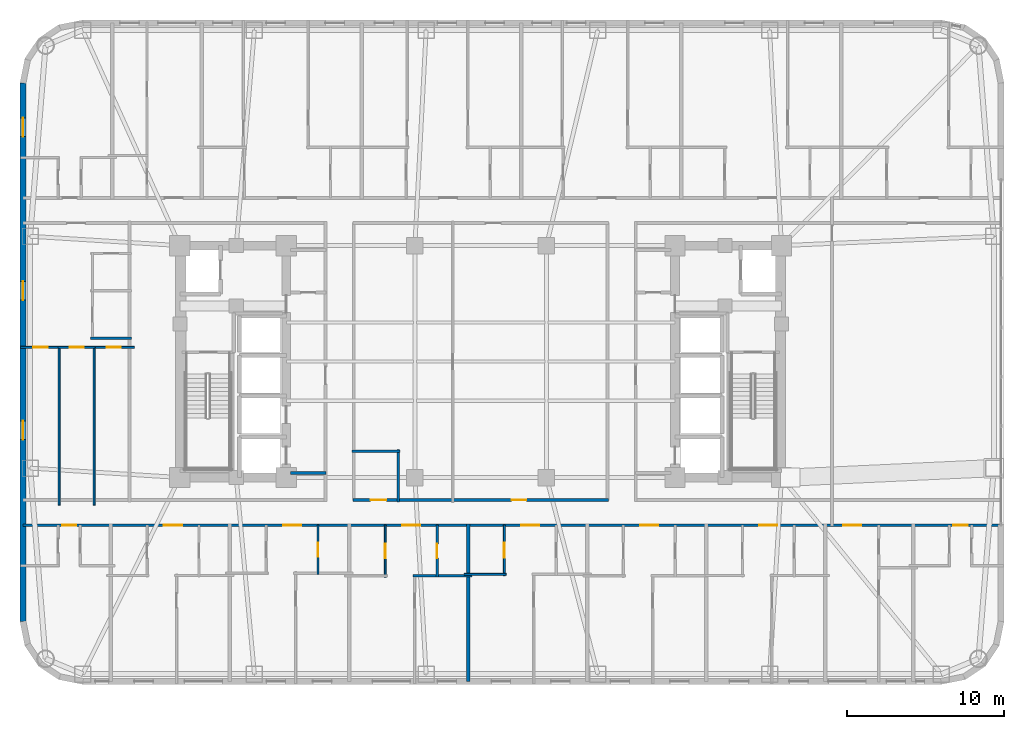
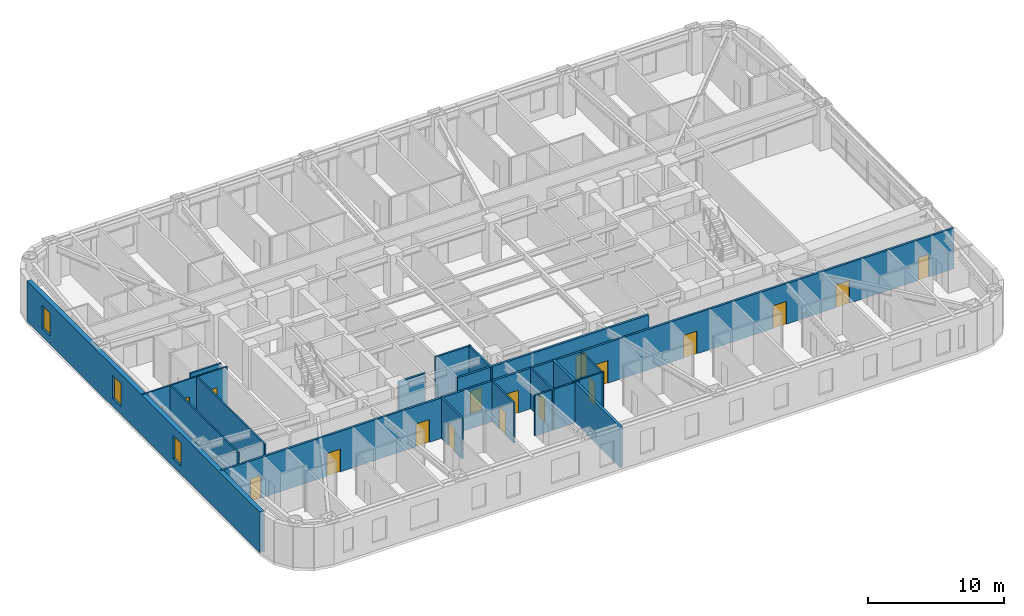
# One storey, part 8 of 16: 19 walls, 18 doors, 3 windows, 21 openings.
"""IFC4 building model written with IfcOpenShell, lengths in metres."""

from ifc_helpers import new_model, si_unit, direction, frame, frame_2d, origin, place, context, subcontext, project, spatial, rectangle, extrude, material, layer, layer_set, type_object, element, fill, save


model = new_model("IFC4")

# Units and contexts
model_context = context("Model", 3, precision=1e-05, world=origin(), true_north=direction((0.0, 1.0)))
body_context = subcontext(model_context, "Body", "Model", "MODEL_VIEW")
ifc_project = project(units=[si_unit("LENGTHUNIT", "METRE"), si_unit("AREAUNIT", "SQUARE_METRE"), si_unit("VOLUMEUNIT", "CUBIC_METRE"), si_unit("PLANEANGLEUNIT", "RADIAN"), si_unit("MASSUNIT", "GRAM", prefix="KILO")], contexts=[model_context])

# Site, building, storey
site_placement = place(None, origin())
site = spatial("IfcSite", under=ifc_project, at=site_placement, CompositionType="ELEMENT")
building_placement = place(site_placement, origin())
building = spatial("IfcBuilding", under=site, at=building_placement, Name="Voryun Gate Residences", CompositionType="ELEMENT")
storey_placement = place(building_placement, frame((0.0, 0.0, 93.60009765625)))
storey = spatial("IfcBuildingStorey", under=building, at=storey_placement, Name="L22", CompositionType="ELEMENT", Elevation=93.60009765625)

# Wall
ifc_material_1 = material(Name="Gypsum acoustic fireboard")
ifc_layer_1 = layer(ifc_material_1, 0.179931640625, Name="W_CORR_RATED_180")
ifc_layer_set_1 = layer_set([ifc_layer_1], Name="Gypsum acoustic fireboard")
wall_type_1 = type_object("IfcWallType", Name="W_CORR_RATED_180", PredefinedType="PARTITIONING", material=ifc_layer_set_1)
wall_1_placement = place(storey_placement, frame((-12.14990234375, -7.1201171875, 0.0), z_axis=(0.0, 0.0, 1.0), x_axis=(1.0, 0.0, 0.0)))
element("IfcWall", 1, at=wall_1_placement, inside=storey, type_object=wall_type_1, Name="Partition wall WP-L22-PLBS-W", PredefinedType="PARTITIONING", context=body_context, shape_type="SweptSolid", body=[
    extrude(rectangle(XDim=2.27001953125, YDim=0.179931640625, at=frame_2d((1.135009765625, 0.0))), origin(), (0.0, 0.0, 1.0), 3.64990234375),
])

# Wall, openings, doors
wall_2_placement = place(storey_placement, frame((-8.14990234375, -8.840087890625, 0.0), z_axis=(0.0, 0.0, 1.0), x_axis=(1.0, 0.0, 0.0)))
wall_2 = element("IfcWall", 2, at=wall_2_placement, inside=storey, type_object=wall_type_1, Name="Partition wall WP-L22-Z1S", PredefinedType="PARTITIONING", context=body_context, shape_type="SweptSolid", body=[
    extrude(rectangle(XDim=16.2998046875, YDim=0.179931640625, at=frame_2d((8.14990234375, 0.0))), origin(), (0.0, 0.0, 1.0), 3.64990234375),
])
opening_1_placement = place(wall_2_placement, frame((1.1298828125, 0.0, 0.0)))
opening_1 = element("IfcOpeningElement", 3, at=opening_1_placement, cuts=wall_2, Name="Opening D-AWC-1", PredefinedType="OPENING", context=body_context, shape_type="SweptSolid", body=[
    extrude(rectangle(XDim=1.0, YDim=2.050048828125, at=frame_2d((0.5, 1.02490234375))), frame((0.0, 0.099853515625, 0.0), z_axis=(0.0, -1.0, 0.0), x_axis=(1.0, 0.0, 0.0)), (0.0, 0.0, 1.0), 0.199951171875),
])
opening_2_placement = place(wall_2_placement, frame((10.1201171875, 0.0, 0.0)))
opening_2 = element("IfcOpeningElement", 4, at=opening_2_placement, cuts=wall_2, Name="Opening D-INT-1", PredefinedType="OPENING", context=body_context, shape_type="SweptSolid", body=[
    extrude(rectangle(XDim=0.949951171875, YDim=2.050048828125, at=frame_2d((0.47509765625, 1.02490234375))), frame((0.0, 0.099853515625, 0.0), z_axis=(0.0, -1.0, 0.0), x_axis=(1.0, 0.0, 0.0)), (0.0, 0.0, 1.0), 0.199951171875),
])
ifc_material_2 = material(Name="Architectural oak veneer")
door_type_1 = type_object("IfcDoorType", Name="DR_ACC_WC_1000", OperationType="NOTDEFINED", PredefinedType="DOOR", material=ifc_material_2)
door_1_placement = place(opening_1_placement, origin())
door_1 = element("IfcDoor", 5, at=door_1_placement, inside=storey, type_object=door_type_1, Name="Door DR-L22-CMWC-D", OperationType="SINGLE_SWING_LEFT", OverallHeight=2.050048828125, OverallWidth=1.0, PredefinedType="DOOR", context=body_context, shape_type="SweptSolid", body=[
    extrude(rectangle(XDim=1.0, YDim=2.050048828125, at=frame_2d((0.5, 1.02490234375))), frame((0.0, 0.02490234375, 0.0), z_axis=(0.0, -1.0, 0.0), x_axis=(1.0, 0.0, 0.0)), (0.0, 0.0, 1.0), 0.050048828125),
])
fill(opening_1, door_1)
ifc_material_3 = material(Name="Architectural oak veneer")
door_type_2 = type_object("IfcDoorType", Name="DR_INT_ROOM_950", OperationType="NOTDEFINED", PredefinedType="DOOR", material=ifc_material_3)
door_2_placement = place(opening_2_placement, origin())
door_2 = element("IfcDoor", 6, at=door_2_placement, inside=storey, type_object=door_type_2, Name="Door DR-L22-CMIDZ1S", OperationType="SINGLE_SWING_RIGHT", OverallHeight=2.050048828125, OverallWidth=0.949951171875, PredefinedType="DOOR", context=body_context, shape_type="SweptSolid", body=[
    extrude(rectangle(XDim=0.949951171875, YDim=2.050048828125, at=frame_2d((0.47509765625, 1.02490234375))), frame((0.0, 0.02490234375, 0.0), z_axis=(0.0, -1.0, 0.0), x_axis=(1.0, 0.0, 0.0)), (0.0, 0.0, 1.0), 0.050048828125),
])
fill(opening_2, door_2)

wall_3_placement = place(storey_placement, frame((-29.2099609375, -10.449951171875, 0.0), z_axis=(0.0, 0.0, 1.0), x_axis=(1.0, 0.0, 0.0)))
wall_3 = element("IfcWall", 7, at=wall_3_placement, inside=storey, type_object=wall_type_1, Name="Partition wall WP-L22-SCORR", PredefinedType="PARTITIONING", context=body_context, shape_type="SweptSolid", body=[
    extrude(rectangle(XDim=62.419921875, YDim=0.179931640625, at=frame_2d((31.2099609375, 0.0))), origin(), (0.0, 0.0, 1.0), 3.64990234375),
])
opening_3_placement = place(wall_3_placement, frame((2.50244140625, 0.0, 0.0)))
opening_3 = element("IfcOpeningElement", 8, at=opening_3_placement, cuts=wall_3, Name="Opening D-INT-2", PredefinedType="OPENING", context=body_context, shape_type="SweptSolid", body=[
    extrude(rectangle(XDim=0.89990234375, YDim=2.050048828125, at=frame_2d((0.449951171875, 1.02490234375))), frame((0.0, 0.099853515625, 0.0), z_axis=(0.0, -1.0, 0.0), x_axis=(1.0, 0.0, 0.0)), (0.0, 0.0, 1.0), 0.199951171875),
])
opening_4_placement = place(wall_3_placement, frame((9.000244140625, 0.0, 0.0)))
opening_4 = element("IfcOpeningElement", 9, at=opening_4_placement, cuts=wall_3, Name="Opening D-UNIT-1", PredefinedType="OPENING", context=body_context, shape_type="SweptSolid", body=[
    extrude(rectangle(XDim=1.14990234375, YDim=2.050048828125, at=frame_2d((0.574951171875, 1.02490234375))), frame((0.0, 0.099853515625, 0.0), z_axis=(0.0, -1.0, 0.0), x_axis=(1.0, 0.0, 0.0)), (0.0, 0.0, 1.0), 0.199951171875),
])
opening_5_placement = place(wall_3_placement, frame((16.60302734375, 0.0, 0.0)))
opening_5 = element("IfcOpeningElement", 10, at=opening_5_placement, cuts=wall_3, Name="Opening D-UNIT-1", PredefinedType="OPENING", context=body_context, shape_type="SweptSolid", body=[
    extrude(rectangle(XDim=1.14990234375, YDim=2.050048828125, at=frame_2d((0.574951171875, 1.02490234375))), frame((0.0, 0.099853515625, 0.0), z_axis=(0.0, -1.0, 0.0), x_axis=(1.0, 0.0, 0.0)), (0.0, 0.0, 1.0), 0.199951171875),
])
opening_6_placement = place(wall_3_placement, frame((24.199462890625, 0.0, 0.0)))
opening_6 = element("IfcOpeningElement", 11, at=opening_6_placement, cuts=wall_3, Name="Opening D-UNIT-1", PredefinedType="OPENING", context=body_context, shape_type="SweptSolid", body=[
    extrude(rectangle(XDim=1.14990234375, YDim=2.050048828125, at=frame_2d((0.574951171875, 1.02490234375))), frame((0.0, 0.099853515625, 0.0), z_axis=(0.0, -1.0, 0.0), x_axis=(1.0, 0.0, 0.0)), (0.0, 0.0, 1.0), 0.199951171875),
])
opening_7_placement = place(wall_3_placement, frame((31.80224609375, 0.0, 0.0)))
opening_7 = element("IfcOpeningElement", 12, at=opening_7_placement, cuts=wall_3, Name="Opening D-UNIT-1", PredefinedType="OPENING", context=body_context, shape_type="SweptSolid", body=[
    extrude(rectangle(XDim=1.14990234375, YDim=2.050048828125, at=frame_2d((0.574951171875, 1.02490234375))), frame((0.0, 0.099853515625, 0.0), z_axis=(0.0, -1.0, 0.0), x_axis=(1.0, 0.0, 0.0)), (0.0, 0.0, 1.0), 0.199951171875),
])
opening_8_placement = place(wall_3_placement, frame((39.398681640625, 0.0, 0.0)))
opening_8 = element("IfcOpeningElement", 13, at=opening_8_placement, cuts=wall_3, Name="Opening D-UNIT-1", PredefinedType="OPENING", context=body_context, shape_type="SweptSolid", body=[
    extrude(rectangle(XDim=1.14990234375, YDim=2.050048828125, at=frame_2d((0.574951171875, 1.02490234375))), frame((0.0, 0.099853515625, 0.0), z_axis=(0.0, -1.0, 0.0), x_axis=(1.0, 0.0, 0.0)), (0.0, 0.0, 1.0), 0.199951171875),
])
opening_9_placement = place(wall_3_placement, frame((47.00146484375, 0.0, 0.0)))
opening_9 = element("IfcOpeningElement", 14, at=opening_9_placement, cuts=wall_3, Name="Opening D-UNIT-1", PredefinedType="OPENING", context=body_context, shape_type="SweptSolid", body=[
    extrude(rectangle(XDim=1.14990234375, YDim=2.050048828125, at=frame_2d((0.574951171875, 1.02490234375))), frame((0.0, 0.099853515625, 0.0), z_axis=(0.0, -1.0, 0.0), x_axis=(1.0, 0.0, 0.0)), (0.0, 0.0, 1.0), 0.199951171875),
])
opening_10_placement = place(wall_3_placement, frame((52.36328125, 0.0, 0.0)))
opening_10 = element("IfcOpeningElement", 15, at=opening_10_placement, cuts=wall_3, Name="Opening D-UNIT-1", PredefinedType="OPENING", context=body_context, shape_type="SweptSolid", body=[
    extrude(rectangle(XDim=1.14990234375, YDim=2.050048828125, at=frame_2d((0.574951171875, 1.02490234375))), frame((0.0, 0.099853515625, 0.0), z_axis=(0.0, -1.0, 0.0), x_axis=(1.0, 0.0, 0.0)), (0.0, 0.0, 1.0), 0.199951171875),
])
opening_11_placement = place(wall_3_placement, frame((59.3857421875, 0.0, 0.0)))
opening_11 = element("IfcOpeningElement", 16, at=opening_11_placement, cuts=wall_3, Name="Opening D-INT-2", PredefinedType="OPENING", context=body_context, shape_type="SweptSolid", body=[
    extrude(rectangle(XDim=0.89990234375, YDim=2.050048828125, at=frame_2d((0.449951171875, 1.02490234375))), frame((0.0, 0.099853515625, 0.0), z_axis=(0.0, -1.0, 0.0), x_axis=(1.0, 0.0, 0.0)), (0.0, 0.0, 1.0), 0.199951171875),
])
ifc_material_4 = material(Name="Architectural oak veneer")
door_type_3 = type_object("IfcDoorType", Name="DR_INT_BATH_900", OperationType="NOTDEFINED", PredefinedType="DOOR", material=ifc_material_4)
door_3_placement = place(opening_3_placement, origin())
door_3 = element("IfcDoor", 17, at=door_3_placement, inside=storey, type_object=door_type_3, Name="Door DR-L22-SENT-1", OperationType="SINGLE_SWING_RIGHT", OverallHeight=2.050048828125, OverallWidth=0.89990234375, PredefinedType="DOOR", context=body_context, shape_type="SweptSolid", body=[
    extrude(rectangle(XDim=0.89990234375, YDim=2.050048828125, at=frame_2d((0.449951171875, 1.02490234375))), frame((0.0, 0.02490234375, 0.0), z_axis=(0.0, -1.0, 0.0), x_axis=(1.0, 0.0, 0.0)), (0.0, 0.0, 1.0), 0.050048828125),
])
fill(opening_3, door_3)
door_4_placement = place(opening_11_placement, origin())
door_4 = element("IfcDoor", 18, at=door_4_placement, inside=storey, type_object=door_type_3, Name="Door DR-L22-SENT-9", OperationType="SINGLE_SWING_RIGHT", OverallHeight=2.050048828125, OverallWidth=0.89990234375, PredefinedType="DOOR", context=body_context, shape_type="SweptSolid", body=[
    extrude(rectangle(XDim=0.89990234375, YDim=2.050048828125, at=frame_2d((0.449951171875, 1.02490234375))), frame((0.0, 0.02490234375, 0.0), z_axis=(0.0, -1.0, 0.0), x_axis=(1.0, 0.0, 0.0)), (0.0, 0.0, 1.0), 0.050048828125),
])
fill(opening_11, door_4)
ifc_material_5 = material(Name="Armoured timber-clad fire door", Category="wood")
door_type_4 = type_object("IfcDoorType", Name="DR_UNIT_ENTRY_1150", OperationType="NOTDEFINED", PredefinedType="DOOR", material=ifc_material_5)
door_5_placement = place(opening_4_placement, origin())
door_5 = element("IfcDoor", 19, at=door_5_placement, inside=storey, type_object=door_type_4, Name="Door DR-L22-SENT-2", OperationType="SINGLE_SWING_LEFT", OverallHeight=2.050048828125, OverallWidth=1.14990234375, PredefinedType="DOOR", context=body_context, shape_type="SweptSolid", body=[
    extrude(rectangle(XDim=1.14990234375, YDim=2.050048828125, at=frame_2d((0.574951171875, 1.02490234375))), frame((0.0, 0.02490234375, 0.0), z_axis=(0.0, -1.0, 0.0), x_axis=(1.0, 0.0, 0.0)), (0.0, 0.0, 1.0), 0.050048828125),
])
fill(opening_4, door_5)
door_6_placement = place(opening_5_placement, origin())
door_6 = element("IfcDoor", 20, at=door_6_placement, inside=storey, type_object=door_type_4, Name="Door DR-L22-SENT-3", OperationType="SINGLE_SWING_RIGHT", OverallHeight=2.050048828125, OverallWidth=1.14990234375, PredefinedType="DOOR", context=body_context, shape_type="SweptSolid", body=[
    extrude(rectangle(XDim=1.14990234375, YDim=2.050048828125, at=frame_2d((0.574951171875, 1.02490234375))), frame((0.0, 0.02490234375, 0.0), z_axis=(0.0, -1.0, 0.0), x_axis=(1.0, 0.0, 0.0)), (0.0, 0.0, 1.0), 0.050048828125),
])
fill(opening_5, door_6)
door_7_placement = place(opening_6_placement, origin())
door_7 = element("IfcDoor", 21, at=door_7_placement, inside=storey, type_object=door_type_4, Name="Door DR-L22-SENT-4", OperationType="SINGLE_SWING_LEFT", OverallHeight=2.050048828125, OverallWidth=1.14990234375, PredefinedType="DOOR", context=body_context, shape_type="SweptSolid", body=[
    extrude(rectangle(XDim=1.14990234375, YDim=2.050048828125, at=frame_2d((0.574951171875, 1.02490234375))), frame((0.0, 0.02490234375, 0.0), z_axis=(0.0, -1.0, 0.0), x_axis=(1.0, 0.0, 0.0)), (0.0, 0.0, 1.0), 0.050048828125),
])
fill(opening_6, door_7)
door_8_placement = place(opening_7_placement, origin())
door_8 = element("IfcDoor", 22, at=door_8_placement, inside=storey, type_object=door_type_4, Name="Door DR-L22-SENT-5", OperationType="SINGLE_SWING_RIGHT", OverallHeight=2.050048828125, OverallWidth=1.14990234375, PredefinedType="DOOR", context=body_context, shape_type="SweptSolid", body=[
    extrude(rectangle(XDim=1.14990234375, YDim=2.050048828125, at=frame_2d((0.574951171875, 1.02490234375))), frame((0.0, 0.02490234375, 0.0), z_axis=(0.0, -1.0, 0.0), x_axis=(1.0, 0.0, 0.0)), (0.0, 0.0, 1.0), 0.050048828125),
])
fill(opening_7, door_8)
door_9_placement = place(opening_8_placement, origin())
door_9 = element("IfcDoor", 23, at=door_9_placement, inside=storey, type_object=door_type_4, Name="Door DR-L22-SENT-6", OperationType="SINGLE_SWING_LEFT", OverallHeight=2.050048828125, OverallWidth=1.14990234375, PredefinedType="DOOR", context=body_context, shape_type="SweptSolid", body=[
    extrude(rectangle(XDim=1.14990234375, YDim=2.050048828125, at=frame_2d((0.574951171875, 1.02490234375))), frame((0.0, 0.02490234375, 0.0), z_axis=(0.0, -1.0, 0.0), x_axis=(1.0, 0.0, 0.0)), (0.0, 0.0, 1.0), 0.050048828125),
])
fill(opening_8, door_9)
door_10_placement = place(opening_9_placement, origin())
door_10 = element("IfcDoor", 24, at=door_10_placement, inside=storey, type_object=door_type_4, Name="Door DR-L22-SENT-7", OperationType="SINGLE_SWING_RIGHT", OverallHeight=2.050048828125, OverallWidth=1.14990234375, PredefinedType="DOOR", context=body_context, shape_type="SweptSolid", body=[
    extrude(rectangle(XDim=1.14990234375, YDim=2.050048828125, at=frame_2d((0.574951171875, 1.02490234375))), frame((0.0, 0.02490234375, 0.0), z_axis=(0.0, -1.0, 0.0), x_axis=(1.0, 0.0, 0.0)), (0.0, 0.0, 1.0), 0.050048828125),
])
fill(opening_9, door_10)
door_11_placement = place(opening_10_placement, origin())
door_11 = element("IfcDoor", 25, at=door_11_placement, inside=storey, type_object=door_type_4, Name="Door DR-L22-SENT-8", OperationType="SINGLE_SWING_LEFT", OverallHeight=2.050048828125, OverallWidth=1.14990234375, PredefinedType="DOOR", context=body_context, shape_type="SweptSolid", body=[
    extrude(rectangle(XDim=1.14990234375, YDim=2.050048828125, at=frame_2d((0.574951171875, 1.02490234375))), frame((0.0, 0.02490234375, 0.0), z_axis=(0.0, -1.0, 0.0), x_axis=(1.0, 0.0, 0.0)), (0.0, 0.0, 1.0), 0.050048828125),
])
fill(opening_10, door_11)

# Wall, openings, windows
ifc_material_6 = material(Name="Granite masonry", Category="masonry")
ifc_layer_2 = layer(ifc_material_6, 0.3798828125, Name="W_EXT_GRANITE_380")
ifc_layer_set_2 = layer_set([ifc_layer_2], Name="Granite masonry")
wall_type_2 = type_object("IfcWallType", Name="W_EXT_GRANITE_380", PredefinedType="ELEMENTEDWALL", material=ifc_layer_set_2)
wall_4_placement = place(storey_placement, frame((-29.2099609375, -16.581298828125, 0.0), z_axis=(0.0, 0.0, 1.0), x_axis=(0.0, 1.0, 0.0)))
wall_4 = element("IfcWall", 26, at=wall_4_placement, inside=storey, type_object=wall_type_2, Name="Exterior wall WEXT-L22-06", PredefinedType="ELEMENTEDWALL", context=body_context, shape_type="SweptSolid", body=[
    extrude(rectangle(XDim=34.362548828125, YDim=0.3798828125, at=frame_2d((17.18115234375, 0.0))), origin(), (0.0, 0.0, 1.0), 3.64990234375),
])
opening_12_placement = place(wall_4_placement, frame((30.931884765625, 0.0, 0.75)))
opening_12 = element("IfcOpeningElement", 27, at=opening_12_placement, cuts=wall_4, Name="Opening WN6", PredefinedType="OPENING", context=body_context, shape_type="SweptSolid", body=[
    extrude(rectangle(XDim=1.199951171875, YDim=2.050048828125, at=frame_2d((0.60009765625, 1.02490234375))), frame((0.0, 0.199951171875, 0.0), z_axis=(0.0, -1.0, 0.0), x_axis=(1.0, 0.0, 0.0)), (0.0, 0.0, 1.0), 0.39990234375),
])
opening_13_placement = place(wall_4_placement, frame((20.501220703125, 0.0, 0.75)))
opening_13 = element("IfcOpeningElement", 28, at=opening_13_placement, cuts=wall_4, Name="Opening WN6", PredefinedType="OPENING", context=body_context, shape_type="SweptSolid", body=[
    extrude(rectangle(XDim=1.199951171875, YDim=2.050048828125, at=frame_2d((0.60009765625, 1.02490234375))), frame((0.0, 0.199951171875, 0.0), z_axis=(0.0, -1.0, 0.0), x_axis=(1.0, 0.0, 0.0)), (0.0, 0.0, 1.0), 0.39990234375),
])
opening_14_placement = place(wall_4_placement, frame((11.601318359375, 0.0, 0.75)))
opening_14 = element("IfcOpeningElement", 29, at=opening_14_placement, cuts=wall_4, Name="Opening WN6", PredefinedType="OPENING", context=body_context, shape_type="SweptSolid", body=[
    extrude(rectangle(XDim=1.199951171875, YDim=2.050048828125, at=frame_2d((0.60009765625, 1.02490234375))), frame((0.0, 0.199951171875, 0.0), z_axis=(0.0, -1.0, 0.0), x_axis=(1.0, 0.0, 0.0)), (0.0, 0.0, 1.0), 0.39990234375),
])
ifc_material_7 = material(Name="Laminated low-E glass", Category="glass")
window_type = type_object("IfcWindowType", Name="WN_POD_SLOT_1200", PartitioningType="SINGLE_PANEL", PredefinedType="WINDOW", material=ifc_material_7)
window_1_placement = place(opening_12_placement, origin())
window_1 = element("IfcWindow", 30, at=window_1_placement, inside=storey, type_object=window_type, Name="Window WN-L22-DWFIX-01", OverallHeight=2.050048828125, OverallWidth=1.199951171875, PartitioningType="SINGLE_PANEL", PredefinedType="WINDOW", context=body_context, shape_type="SweptSolid", body=[
    extrude(rectangle(XDim=1.199951171875, YDim=2.050048828125, at=frame_2d((0.60009765625, 1.02490234375))), frame((0.0, 0.030029296875, 0.0), z_axis=(0.0, -1.0, 0.0), x_axis=(1.0, 0.0, 0.0)), (0.0, 0.0, 1.0), 0.06005859375),
])
fill(opening_12, window_1)
window_2_placement = place(opening_13_placement, origin())
window_2 = element("IfcWindow", 31, at=window_2_placement, inside=storey, type_object=window_type, Name="Window WN-L22-DWFIX-29", OverallHeight=2.050048828125, OverallWidth=1.199951171875, PartitioningType="SINGLE_PANEL", PredefinedType="WINDOW", context=body_context, shape_type="SweptSolid", body=[
    extrude(rectangle(XDim=1.199951171875, YDim=2.050048828125, at=frame_2d((0.60009765625, 1.02490234375))), frame((0.0, 0.030029296875, 0.0), z_axis=(0.0, -1.0, 0.0), x_axis=(1.0, 0.0, 0.0)), (0.0, 0.0, 1.0), 0.06005859375),
])
fill(opening_13, window_2)
window_3_placement = place(opening_14_placement, origin())
window_3 = element("IfcWindow", 32, at=window_3_placement, inside=storey, type_object=window_type, Name="Window WN-L22-DWFIX-30", OverallHeight=2.050048828125, OverallWidth=1.199951171875, PartitioningType="SINGLE_PANEL", PredefinedType="WINDOW", context=body_context, shape_type="SweptSolid", body=[
    extrude(rectangle(XDim=1.199951171875, YDim=2.050048828125, at=frame_2d((0.60009765625, 1.02490234375))), frame((0.0, 0.030029296875, 0.0), z_axis=(0.0, -1.0, 0.0), x_axis=(1.0, 0.0, 0.0)), (0.0, 0.0, 1.0), 0.06005859375),
])
fill(opening_14, window_3)

# Wall
ifc_material_8 = material(Name="Concrete C40/50", Category="concrete")
ifc_layer_3 = layer(ifc_material_8, 0.219970703125, Name="W_PARTY_ACOUSTIC_220")
ifc_layer_set_3 = layer_set([ifc_layer_3], Name="Concrete C40/50")
wall_type_3 = type_object("IfcWallType", Name="W_PARTY_ACOUSTIC_220", PredefinedType="PARTITIONING", material=ifc_layer_set_3)
wall_5_placement = place(storey_placement, frame((-0.800048828125, -20.409912109375, 0.0), z_axis=(0.0, 0.0, 1.0), x_axis=(0.0, 1.0, 0.0)))
element("IfcWall", 33, at=wall_5_placement, inside=storey, type_object=wall_type_3, Name="Partition wall WP-L22-SPTY-4", PredefinedType="PARTITIONING", context=body_context, shape_type="SweptSolid", body=[
    extrude(rectangle(XDim=10.039794921875, YDim=0.219970703125, at=frame_2d((5.02001953125, 0.0))), origin(), (0.0, 0.0, 1.0), 3.64990234375),
])

# Wall, opening, door
ifc_material_9 = material(Name="Gypsum acoustic partition")
ifc_layer_4 = layer(ifc_material_9, 0.125, Name="W_UNIT_PART_125")
ifc_layer_set_4 = layer_set([ifc_layer_4], Name="Gypsum acoustic partition")
wall_type_4 = type_object("IfcWallType", Name="W_UNIT_PART_125", PredefinedType="PARTITIONING", material=ifc_layer_set_4)
wall_6_placement = place(storey_placement, frame((-6.090087890625, -13.75, 0.0), z_axis=(0.0, 0.0, 1.0), x_axis=(0.0, 1.0, 0.0)))
wall_6 = element("IfcWall", 34, at=wall_6_placement, inside=storey, type_object=wall_type_4, Name="Partition wall WP-L22-S4-IVK", PredefinedType="PARTITIONING", context=body_context, shape_type="SweptSolid", body=[
    extrude(rectangle(XDim=3.320068359375, YDim=0.125, at=frame_2d((1.66015625, 0.0))), origin(), (0.0, 0.0, 1.0), 3.64990234375),
])
opening_15_placement = place(wall_6_placement, frame((1.18505859375, 0.0, 0.0)))
opening_15 = element("IfcOpeningElement", 35, at=opening_15_placement, cuts=wall_6, Name="Opening D-INT-1", PredefinedType="OPENING", context=body_context, shape_type="SweptSolid", body=[
    extrude(rectangle(XDim=0.949951171875, YDim=2.050048828125, at=frame_2d((0.47509765625, 1.02490234375))), frame((0.0, 0.072509765625, 0.0), z_axis=(0.0, -1.0, 0.0), x_axis=(1.0, 0.0, 0.0)), (0.0, 0.0, 1.0), 0.14501953125),
])
door_12_placement = place(opening_15_placement, origin())
door_12 = element("IfcDoor", 36, at=door_12_placement, inside=storey, type_object=door_type_2, Name="Door DR-L22-S4-DK", OperationType="SINGLE_SWING_LEFT", OverallHeight=2.050048828125, OverallWidth=0.949951171875, PredefinedType="DOOR", context=body_context, shape_type="SweptSolid", body=[
    extrude(rectangle(XDim=0.949951171875, YDim=2.050048828125, at=frame_2d((0.47509765625, 1.02490234375))), frame((0.0, 0.02490234375, 0.0), z_axis=(0.0, -1.0, 0.0), x_axis=(1.0, 0.0, 0.0)), (0.0, 0.0, 1.0), 0.050048828125),
])
fill(opening_15, door_12)

wall_7_placement = place(storey_placement, frame((1.510009765625, -13.658935546875, 0.0), z_axis=(0.0, 0.0, 1.0), x_axis=(0.0, 1.0, 0.0)))
wall_7 = element("IfcWall", 37, at=wall_7_placement, inside=storey, type_object=wall_type_4, Name="Partition wall WP-L22-S5-IVK", PredefinedType="PARTITIONING", context=body_context, shape_type="SweptSolid", body=[
    extrude(rectangle(XDim=3.22900390625, YDim=0.125, at=frame_2d((1.614501953125, 0.0))), origin(), (0.0, 0.0, 1.0), 3.64990234375),
])
opening_16_placement = place(wall_7_placement, frame((1.139404296875, 0.0, 0.0)))
opening_16 = element("IfcOpeningElement", 38, at=opening_16_placement, cuts=wall_7, Name="Opening D-INT-1", PredefinedType="OPENING", context=body_context, shape_type="SweptSolid", body=[
    extrude(rectangle(XDim=0.949951171875, YDim=2.050048828125, at=frame_2d((0.47509765625, 1.02490234375))), frame((0.0, 0.072509765625, 0.0), z_axis=(0.0, -1.0, 0.0), x_axis=(1.0, 0.0, 0.0)), (0.0, 0.0, 1.0), 0.14501953125),
])
door_13_placement = place(opening_16_placement, origin())
door_13 = element("IfcDoor", 39, at=door_13_placement, inside=storey, type_object=door_type_2, Name="Door DR-L22-S5-DK", OperationType="SINGLE_SWING_LEFT", OverallHeight=2.050048828125, OverallWidth=0.949951171875, PredefinedType="DOOR", context=body_context, shape_type="SweptSolid", body=[
    extrude(rectangle(XDim=0.949951171875, YDim=2.050048828125, at=frame_2d((0.47509765625, 1.02490234375))), frame((0.0, 0.02490234375, 0.0), z_axis=(0.0, -1.0, 0.0), x_axis=(1.0, 0.0, 0.0)), (0.0, 0.0, 1.0), 0.050048828125),
])
fill(opening_16, door_13)

# Wall
wall_8_placement = place(storey_placement, frame((-1.06005859375, -13.5791015625, 0.0), z_axis=(0.0, 0.0, 1.0), x_axis=(1.0, 0.0, 0.0)))
element("IfcWall", 40, at=wall_8_placement, inside=storey, type_object=wall_type_4, Name="Partition wall WP-L22-S5-HZK", PredefinedType="PARTITIONING", context=body_context, shape_type="SweptSolid", body=[
    extrude(rectangle(XDim=2.68994140625, YDim=0.125, at=frame_2d((1.344970703125, 0.0))), origin(), (0.0, 0.0, 1.0), 3.64990234375),
])

# Wall, opening, door
wall_9_placement = place(storey_placement, frame((-29.360107421875, 0.909912109375, 0.0), z_axis=(0.0, 0.0, 1.0), x_axis=(1.0, 0.0, 0.0)))
wall_9 = element("IfcWall", 41, at=wall_9_placement, inside=storey, type_object=wall_type_4, Name="Partition wall WP-L22-W1-HZMB1", PredefinedType="PARTITIONING", context=body_context, shape_type="SweptSolid", body=[
    extrude(rectangle(XDim=2.5166015625, YDim=0.125, at=frame_2d((1.25830078125, 0.0))), origin(), (0.0, 0.0, 1.0), 3.64990234375),
])
opening_17_placement = place(wall_9_placement, frame((0.81689453125, 0.0, 0.0)))
opening_17 = element("IfcOpeningElement", 42, at=opening_17_placement, cuts=wall_9, Name="Opening D-INT-2", PredefinedType="OPENING", context=body_context, shape_type="SweptSolid", body=[
    extrude(rectangle(XDim=0.89990234375, YDim=2.050048828125, at=frame_2d((0.449951171875, 1.02490234375))), frame((0.0, 0.072509765625, 0.0), z_axis=(0.0, -1.0, 0.0), x_axis=(1.0, 0.0, 0.0)), (0.0, 0.0, 1.0), 0.14501953125),
])
door_14_placement = place(opening_17_placement, origin())
door_14 = element("IfcDoor", 43, at=door_14_placement, inside=storey, type_object=door_type_3, Name="Door DR-L22-W1-DMB", OperationType="SINGLE_SWING_LEFT", OverallHeight=2.050048828125, OverallWidth=0.89990234375, PredefinedType="DOOR", context=body_context, shape_type="SweptSolid", body=[
    extrude(rectangle(XDim=0.89990234375, YDim=2.050048828125, at=frame_2d((0.449951171875, 1.02490234375))), frame((0.0, 0.02490234375, 0.0), z_axis=(0.0, -1.0, 0.0), x_axis=(1.0, 0.0, 0.0)), (0.0, 0.0, 1.0), 0.050048828125),
])
fill(opening_17, door_14)

wall_10_placement = place(storey_placement, frame((-26.968505859375, 0.909912109375, 0.0), z_axis=(0.0, 0.0, 1.0), x_axis=(1.0, 0.0, 0.0)))
wall_10 = element("IfcWall", 44, at=wall_10_placement, inside=storey, type_object=wall_type_4, Name="Partition wall WP-L22-W1-HZMB2", PredefinedType="PARTITIONING", context=body_context, shape_type="SweptSolid", body=[
    extrude(rectangle(XDim=2.367919921875, YDim=0.125, at=frame_2d((1.18408203125, 0.0))), origin(), (0.0, 0.0, 1.0), 3.64990234375),
])
opening_18_placement = place(wall_10_placement, frame((0.73388671875, 0.0, 0.0)))
opening_18 = element("IfcOpeningElement", 45, at=opening_18_placement, cuts=wall_10, Name="Opening D-INT-2", PredefinedType="OPENING", context=body_context, shape_type="SweptSolid", body=[
    extrude(rectangle(XDim=0.89990234375, YDim=2.050048828125, at=frame_2d((0.449951171875, 1.02490234375))), frame((0.0, 0.072509765625, 0.0), z_axis=(0.0, -1.0, 0.0), x_axis=(1.0, 0.0, 0.0)), (0.0, 0.0, 1.0), 0.14501953125),
])
door_15_placement = place(opening_18_placement, origin())
door_15 = element("IfcDoor", 46, at=door_15_placement, inside=storey, type_object=door_type_3, Name="Door DR-L22-W1-DBD2", OperationType="SINGLE_SWING_RIGHT", OverallHeight=2.050048828125, OverallWidth=0.89990234375, PredefinedType="DOOR", context=body_context, shape_type="SweptSolid", body=[
    extrude(rectangle(XDim=0.89990234375, YDim=2.050048828125, at=frame_2d((0.449951171875, 1.02490234375))), frame((0.0, 0.02490234375, 0.0), z_axis=(0.0, -1.0, 0.0), x_axis=(1.0, 0.0, 0.0)), (0.0, 0.0, 1.0), 0.050048828125),
])
fill(opening_18, door_15)

wall_11_placement = place(storey_placement, frame((-24.7255859375, 0.909912109375, 0.0), z_axis=(0.0, 0.0, 1.0), x_axis=(1.0, 0.0, 0.0)))
wall_11 = element("IfcWall", 47, at=wall_11_placement, inside=storey, type_object=wall_type_4, Name="Partition wall WP-L22-W1-HZMB3", PredefinedType="PARTITIONING", context=body_context, shape_type="SweptSolid", body=[
    extrude(rectangle(XDim=2.62548828125, YDim=0.125, at=frame_2d((1.312744140625, 0.0))), origin(), (0.0, 0.0, 1.0), 3.64990234375),
])
opening_19_placement = place(wall_11_placement, frame((0.85400390625, 0.0, 0.0)))
opening_19 = element("IfcOpeningElement", 48, at=opening_19_placement, cuts=wall_11, Name="Opening D-INT-2", PredefinedType="OPENING", context=body_context, shape_type="SweptSolid", body=[
    extrude(rectangle(XDim=0.89990234375, YDim=2.050048828125, at=frame_2d((0.449951171875, 1.02490234375))), frame((0.0, 0.072509765625, 0.0), z_axis=(0.0, -1.0, 0.0), x_axis=(1.0, 0.0, 0.0)), (0.0, 0.0, 1.0), 0.14501953125),
])
door_16_placement = place(opening_19_placement, origin())
door_16 = element("IfcDoor", 49, at=door_16_placement, inside=storey, type_object=door_type_3, Name="Door DR-L22-W1-DBD3", OperationType="SINGLE_SWING_LEFT", OverallHeight=2.050048828125, OverallWidth=0.89990234375, PredefinedType="DOOR", context=body_context, shape_type="SweptSolid", body=[
    extrude(rectangle(XDim=0.89990234375, YDim=2.050048828125, at=frame_2d((0.449951171875, 1.02490234375))), frame((0.0, 0.02490234375, 0.0), z_axis=(0.0, -1.0, 0.0), x_axis=(1.0, 0.0, 0.0)), (0.0, 0.0, 1.0), 0.050048828125),
])
fill(opening_19, door_16)

# Walls
for number, where, z_axis, x_axis, name in (
    (50, (-24.6630859375, -9.159912109375, 0.0), (0.0, 0.0, 1.0), (0.0, 1.0, 0.0), "Partition wall WP-L22-W1-VMB2"),
    (51, (-26.906005859375, -9.159912109375, 0.0), (0.0, 0.0, 1.0), (0.0, 1.0, 0.0), "Partition wall WP-L22-W1-VMB"),
):
    element("IfcWall", number, at=place(storey_placement, frame(where, z_axis=z_axis, x_axis=x_axis)), inside=storey, type_object=wall_type_4, Name=name, PredefinedType="PARTITIONING", context=body_context, shape_type="SweptSolid", body=[
        extrude(rectangle(XDim=10.1298828125, YDim=0.125, at=frame_2d((5.06494140625, 0.0))), origin(), (0.0, 0.0, 1.0), 3.64990234375),
    ])
ifc_material_10 = material(Name="Gypsum moisture-resistant partition")
ifc_layer_5 = layer(ifc_material_10, 0.14990234375, Name="W_WET_PLUMB_150")
ifc_layer_set_5 = layer_set([ifc_layer_5], Name="Gypsum moisture-resistant partition")
wall_type_5 = type_object("IfcWallType", Name="W_WET_PLUMB_150", PredefinedType="PLUMBINGWALL", material=ifc_layer_set_5)
wall_12_placement = place(storey_placement, frame((-5.260009765625, -8.969970703125, 0.0), z_axis=(0.0, 0.0, 1.0), x_axis=(0.0, 1.0, 0.0)))
element("IfcWall", 52, at=wall_12_placement, inside=storey, type_object=wall_type_5, Name="Partition wall WP-L22-CMWCX", PredefinedType="PLUMBINGWALL", context=body_context, shape_type="SweptSolid", body=[
    extrude(rectangle(XDim=3.349853515625, YDim=0.14990234375, at=frame_2d((1.6748046875, 0.0))), origin(), (0.0, 0.0, 1.0), 3.64990234375),
])
wall_13_placement = place(storey_placement, frame((-8.2099609375, -5.719970703125, 0.0), z_axis=(0.0, 0.0, 1.0), x_axis=(1.0, 0.0, 0.0)))
element("IfcWall", 53, at=wall_13_placement, inside=storey, type_object=wall_type_5, Name="Partition wall WP-L22-CMWCY", PredefinedType="PLUMBINGWALL", context=body_context, shape_type="SweptSolid", body=[
    extrude(rectangle(XDim=3.050048828125, YDim=0.14990234375, at=frame_2d((1.52490234375, 0.0))), origin(), (0.0, 0.0, 1.0), 3.64990234375),
])

# Wall, opening, door
wall_14_placement = place(storey_placement, frame((-10.3798828125, -13.583984375, 0.0), z_axis=(0.0, 0.0, 1.0), x_axis=(0.0, 1.0, 0.0)))
wall_14 = element("IfcWall", 54, at=wall_14_placement, inside=storey, type_object=wall_type_5, Name="Partition wall WP-L22-S3-IVB", PredefinedType="PLUMBINGWALL", context=body_context, shape_type="SweptSolid", body=[
    extrude(rectangle(XDim=3.154052734375, YDim=0.14990234375, at=frame_2d((1.5771484375, 0.0))), origin(), (0.0, 0.0, 1.0), 3.64990234375),
])
opening_20_placement = place(wall_14_placement, frame((1.126953125, 0.0, 0.0)))
opening_20 = element("IfcOpeningElement", 55, at=opening_20_placement, cuts=wall_14, Name="Opening D-INT-2", PredefinedType="OPENING", context=body_context, shape_type="SweptSolid", body=[
    extrude(rectangle(XDim=0.89990234375, YDim=2.050048828125, at=frame_2d((0.449951171875, 1.02490234375))), frame((0.0, 0.0849609375, 0.0), z_axis=(0.0, -1.0, 0.0), x_axis=(1.0, 0.0, 0.0)), (0.0, 0.0, 1.0), 0.169921875),
])
door_17_placement = place(opening_20_placement, origin())
door_17 = element("IfcDoor", 56, at=door_17_placement, inside=storey, type_object=door_type_3, Name="Door DR-L22-S3-DB", OperationType="SINGLE_SWING_RIGHT", OverallHeight=2.050048828125, OverallWidth=0.89990234375, PredefinedType="DOOR", context=body_context, shape_type="SweptSolid", body=[
    extrude(rectangle(XDim=0.89990234375, YDim=2.050048828125, at=frame_2d((0.449951171875, 1.02490234375))), frame((0.0, 0.02490234375, 0.0), z_axis=(0.0, -1.0, 0.0), x_axis=(1.0, 0.0, 0.0)), (0.0, 0.0, 1.0), 0.050048828125),
])
fill(opening_20, door_17)

# Wall
wall_15_placement = place(storey_placement, frame((-4.330078125, -13.669921875, 0.0), z_axis=(0.0, 0.0, 1.0), x_axis=(1.0, 0.0, 0.0)))
element("IfcWall", 57, at=wall_15_placement, inside=storey, type_object=wall_type_5, Name="Partition wall WP-L22-S4-HZB", PredefinedType="PLUMBINGWALL", context=body_context, shape_type="SweptSolid", body=[
    extrude(rectangle(XDim=3.7900390625, YDim=0.14990234375, at=frame_2d((1.89501953125, 0.0))), origin(), (0.0, 0.0, 1.0), 3.64990234375),
])

# Wall, opening, door
wall_16_placement = place(storey_placement, frame((-2.780029296875, -13.75, 0.0), z_axis=(0.0, 0.0, 1.0), x_axis=(0.0, 1.0, 0.0)))
wall_16 = element("IfcWall", 58, at=wall_16_placement, inside=storey, type_object=wall_type_5, Name="Partition wall WP-L22-S4-IVB", PredefinedType="PLUMBINGWALL", context=body_context, shape_type="SweptSolid", body=[
    extrude(rectangle(XDim=3.320068359375, YDim=0.14990234375, at=frame_2d((1.66015625, 0.0))), origin(), (0.0, 0.0, 1.0), 3.64990234375),
])
opening_21_placement = place(wall_16_placement, frame((1.2099609375, 0.0, 0.0)))
opening_21 = element("IfcOpeningElement", 59, at=opening_21_placement, cuts=wall_16, Name="Opening D-INT-2", PredefinedType="OPENING", context=body_context, shape_type="SweptSolid", body=[
    extrude(rectangle(XDim=0.89990234375, YDim=2.050048828125, at=frame_2d((0.449951171875, 1.02490234375))), frame((0.0, 0.0849609375, 0.0), z_axis=(0.0, -1.0, 0.0), x_axis=(1.0, 0.0, 0.0)), (0.0, 0.0, 1.0), 0.169921875),
])
door_18_placement = place(opening_21_placement, origin())
door_18 = element("IfcDoor", 60, at=door_18_placement, inside=storey, type_object=door_type_3, Name="Door DR-L22-S4-DB", OperationType="SINGLE_SWING_RIGHT", OverallHeight=2.050048828125, OverallWidth=0.89990234375, PredefinedType="DOOR", context=body_context, shape_type="SweptSolid", body=[
    extrude(rectangle(XDim=0.89990234375, YDim=2.050048828125, at=frame_2d((0.449951171875, 1.02490234375))), frame((0.0, 0.02490234375, 0.0), z_axis=(0.0, -1.0, 0.0), x_axis=(1.0, 0.0, 0.0)), (0.0, 0.0, 1.0), 0.050048828125),
])
fill(opening_21, door_18)

# Wall
wall_17_placement = place(storey_placement, frame((-24.889892578125, 1.5, 0.0), z_axis=(0.0, 0.0, 1.0), x_axis=(1.0, 0.0, 0.0)))
element("IfcWall", 61, at=wall_17_placement, inside=storey, type_object=wall_type_5, Name="Partition wall WP-L22-W1-IBB", PredefinedType="PLUMBINGWALL", context=body_context, shape_type="SweptSolid", body=[
    extrude(rectangle(XDim=2.619873046875, YDim=0.14990234375, at=frame_2d((1.31005859375, 0.0))), origin(), (0.0, 0.0, 1.0), 3.64990234375),
])

save(model, "model.ifc")
